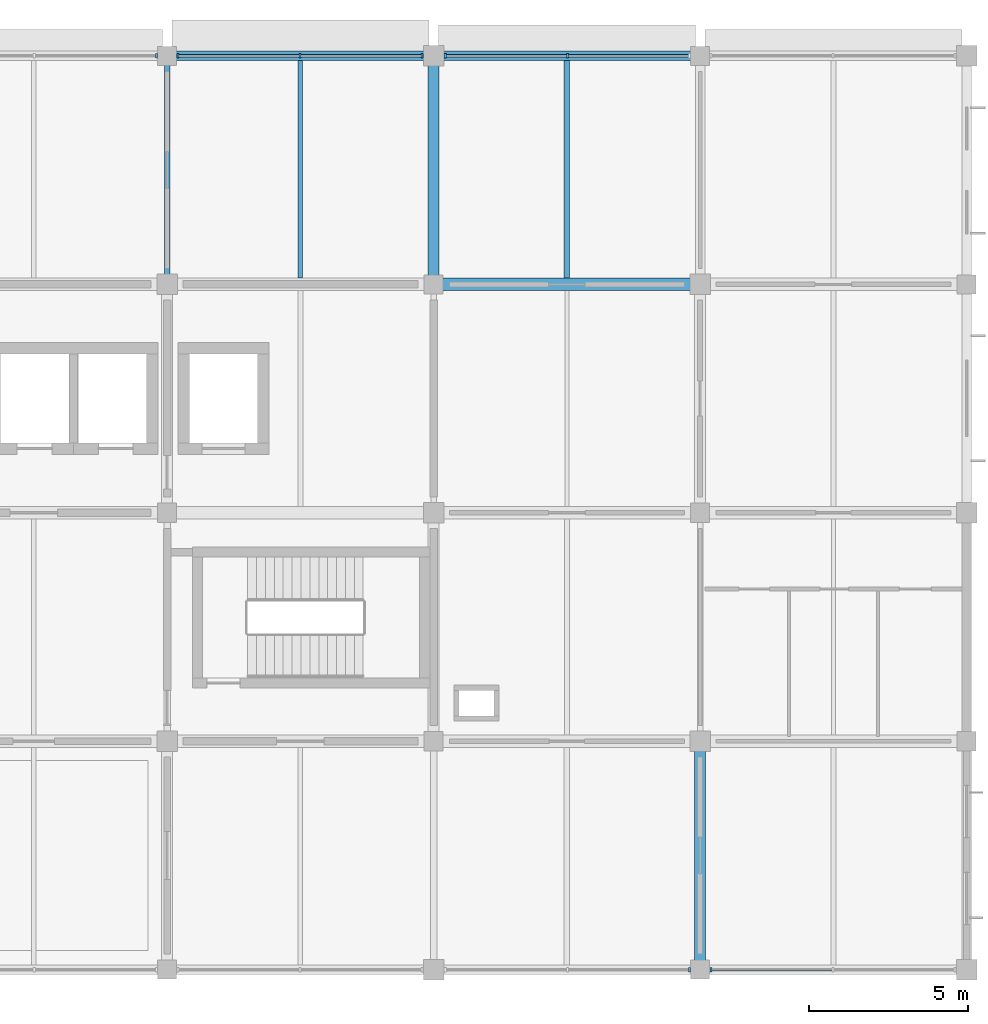
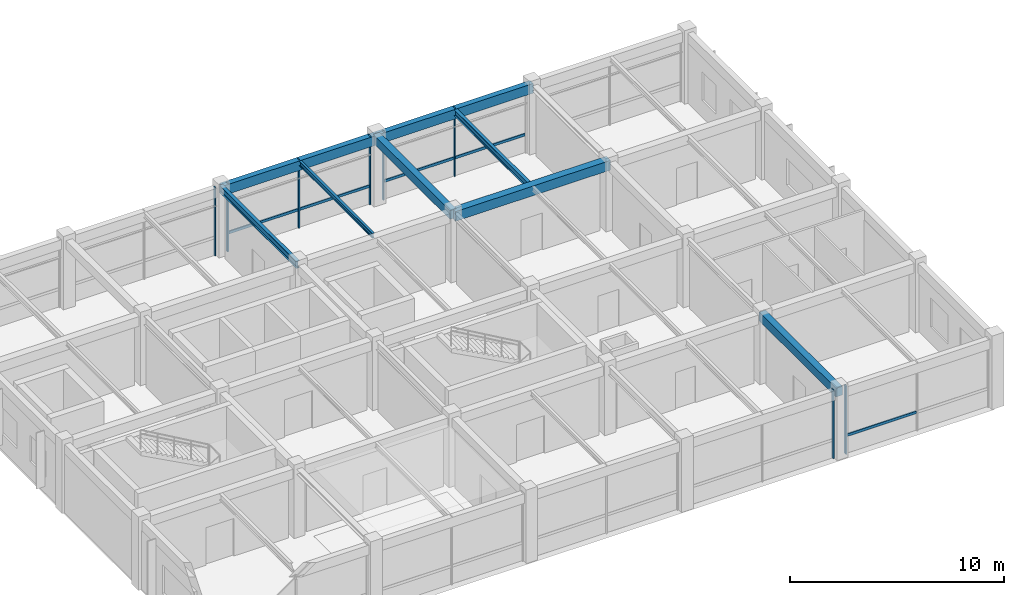
# One storey, part 5 of 11: 13 members, 8 beams, 5 elements without a shape of their own.
"""IFC4 building model written with IfcOpenShell, lengths in metres."""

import ifcopenshell
import ifcopenshell.guid

model = None  # the IFC model being written
_history = None  # IfcOwnerHistory: only IFC2X3 demands one
_inside = {}  # id of a spatial element -> (the spatial element, [elements in it])
_under = {}  # id of a project, library or spatial element -> (it, [spatial elements below it])
_declared = {}  # id of a project -> (the project, [libraries it declares])
_typed = {}  # id of a type object -> (the type object, [elements of that type])
_made_of = {}  # id of a material, layer set ... -> (it, [elements and type objects made of it])


def new_model(schema):
    """Start an empty IFC model of exactly this schema.

    Asked for "IFC4X3", IfcOpenShell would pick the latest addendum, in which some entities
    have other attributes; the version numbers below select the first issue.
    IFC2X3 requires an IfcOwnerHistory on every rooted entity: one is made here for all.
    """
    global model, _history
    if schema == "IFC4X3":
        model = ifcopenshell.file(schema_version=(4, 3, 0, 0))
    else:
        model = ifcopenshell.file(schema=schema)
    _inside.clear()
    _under.clear()
    _declared.clear()
    _typed.clear()
    _made_of.clear()
    _history = None
    if model.schema == "IFC2X3":
        org = make("IfcOrganization", Name="unknown")
        user = make(
            "IfcPersonAndOrganization",
            ThePerson=make("IfcPerson", FamilyName="unknown"),
            TheOrganization=org,
        )
        app = make(
            "IfcApplication",
            ApplicationDeveloper=org,
            Version="unknown",
            ApplicationFullName="unknown",
            ApplicationIdentifier="unknown",
        )
        _history = make(
            "IfcOwnerHistory",
            OwningUser=user,
            OwningApplication=app,
            ChangeAction="ADDED",
            CreationDate=0,
        )
    return model


def make(cls, **values):
    """One entity of the class cls with the attributes given. An attribute that is None is left unset."""
    return model.create_entity(
        cls, **{name: value for name, value in values.items() if value is not None}
    )


def rooted(cls, **values):
    """An entity with a GlobalId (a new one), such as an element, a storey or a relation."""
    return make(cls, GlobalId=ifcopenshell.guid.new(), OwnerHistory=_history, **values)


def si_unit(unit_type, name, prefix=None):
    """IfcSIUnit, for example si_unit("LENGTHUNIT", "METRE", prefix="MILLI")."""
    return make("IfcSIUnit", UnitType=unit_type, Prefix=prefix, Name=name)


def derived_unit(unit_type, elements):
    """IfcDerivedUnit: a product of units, each with its exponent."""
    return make(
        "IfcDerivedUnit",
        Elements=[
            make("IfcDerivedUnitElement", Unit=unit, Exponent=power)
            for unit, power in elements
        ],
        UnitType=unit_type,
    )


def assignment(units):
    """IfcUnitAssignment: the units of a project."""
    return None if units is None else make("IfcUnitAssignment", Units=units)


def point(xyz):
    """IfcCartesianPoint."""
    return None if xyz is None else make("IfcCartesianPoint", Coordinates=xyz)


def direction(xyz):
    """IfcDirection."""
    return None if xyz is None else make("IfcDirection", DirectionRatios=xyz)


def frame(location, z_axis=None, x_axis=None):
    """IfcAxis2Placement3D, a coordinate frame: its origin and axes. An axis left out is left unset."""
    return make(
        "IfcAxis2Placement3D",
        Location=point(location),
        Axis=direction(z_axis),
        RefDirection=direction(x_axis),
    )


def frame_2d(location, x_axis=None):
    """IfcAxis2Placement2D, a coordinate frame in the plane: its origin and x axis."""
    return make(
        "IfcAxis2Placement2D", Location=point(location), RefDirection=direction(x_axis)
    )


def origin():
    """The frame at (0, 0, 0) with its axes left unset."""
    return frame((0.0, 0.0, 0.0))


def origin_2d():
    """The frame at (0, 0) in the plane with its x axis left unset."""
    return frame_2d((0.0, 0.0))


def place(relative_to, where):
    """IfcLocalPlacement: puts the frame where relative to a parent placement (None: the world)."""
    return make(
        "IfcLocalPlacement", PlacementRelTo=relative_to, RelativePlacement=where
    )


def context(
    kind, dimensions, precision=None, world=None, true_north=None, identifier=None
):
    """IfcGeometricRepresentationContext, for example the 3D "Model" context."""
    return make(
        "IfcGeometricRepresentationContext",
        ContextIdentifier=identifier,
        ContextType=kind,
        CoordinateSpaceDimension=dimensions,
        Precision=precision,
        WorldCoordinateSystem=world,
        TrueNorth=true_north,
    )


def subcontext(parent, identifier, kind, view, scale=None):
    """IfcGeometricRepresentationSubContext, for example "Body" below "Model"."""
    return make(
        "IfcGeometricRepresentationSubContext",
        ContextIdentifier=identifier,
        ContextType=kind,
        ParentContext=parent,
        TargetScale=scale,
        TargetView=view,
    )


def project(units=None, contexts=None):
    """IfcProject with its units and contexts."""
    return rooted(
        "IfcProject",
        Name="project",
        RepresentationContexts=contexts,
        UnitsInContext=assignment(units),
    )


def spatial(cls, under=None, at=None, **own):
    """A site, building, storey or space (cls), placed at a placement, below another one or the project."""
    s = rooted(cls, ObjectPlacement=at, **own)
    if under is not None:
        _under.setdefault(under.id(), (under, []))[1].append(s)
    return s


def profile(cls, at=None, kind="AREA", **sizes):
    """A parametric profile (cls). Its sizes go by their IFC names, for example OverallWidth=200.0."""
    return make(cls, ProfileType=kind, Position=at, **sizes)


def rectangle(**sizes):
    """IfcRectangleProfileDef."""
    return profile("IfcRectangleProfileDef", **sizes)


def i_section(**sizes):
    """IfcIShapeProfileDef."""
    return profile("IfcIShapeProfileDef", **sizes)


def extrude(swept, where, along, depth):
    """IfcExtrudedAreaSolid: the profile swept, set in the frame where, extruded along a direction by depth."""
    return make(
        "IfcExtrudedAreaSolid",
        SweptArea=swept,
        Position=where,
        ExtrudedDirection=direction(along),
        Depth=depth,
    )


def shape(context_of_items, identifier, shape_type, items):
    """IfcShapeRepresentation: the items that make up one representation, for example the "Body"."""
    return make(
        "IfcShapeRepresentation",
        ContextOfItems=context_of_items,
        RepresentationIdentifier=identifier,
        RepresentationType=shape_type,
        Items=items,
    )


def material(Name=None, Category=None):
    """IfcMaterial."""
    return make("IfcMaterial", Name=Name, Category=Category)


def material_profile(
    of_material, cross_section, Name=None, Category=None, Priority=None
):
    """IfcMaterialProfile: a cross section and its material."""
    return make(
        "IfcMaterialProfile",
        Name=Name,
        Material=of_material,
        Profile=cross_section,
        Priority=Priority,
        Category=Category,
    )


def profile_set(profiles, Name=None, composite=None):
    """IfcMaterialProfileSet."""
    return make(
        "IfcMaterialProfileSet",
        Name=Name,
        MaterialProfiles=profiles,
        CompositeProfile=composite,
    )


def made_of(thing, what):
    """Note that an element or type object is made of a material, layer set ...; save() writes the relation."""
    if what is not None:
        _made_of.setdefault(what.id(), (what, []))[1].append(thing)
    return thing


def type_object(cls, material=None, **own):
    """A type object (cls), such as IfcWallType, which elements share."""
    return made_of(rooted(cls, **own), material)


def element(
    cls,
    number,
    at=None,
    inside=None,
    cuts=None,
    type_object=None,
    material=None,
    context=None,
    identifier="Body",
    shape_type=None,
    held_by="IfcProductDefinitionShape",
    body=None,
    shapes=None,
    **own,
):
    """One element of the class cls, such as IfcWall. Its Tag is "e" and its number.

    at: its placement. inside: the storey or other place that contains it. cuts: it is an
    opening in that element (IfcRelVoidsElement). A single representation is given by context,
    identifier, shape_type and body (its items); several are given by shapes. held_by: the class
    of the entity that holds the representations. save() writes the other relations.
    """
    e = rooted(cls, Tag="e%d" % number, ObjectPlacement=at, **own)
    if body is not None:
        shapes = [shape(context, identifier, shape_type, body)]
    if shapes is not None:
        e.Representation = make(held_by, Representations=shapes)
    if inside is not None:
        _inside.setdefault(inside.id(), (inside, []))[1].append(e)
    if cuts is not None:
        rooted(
            "IfcRelVoidsElement", RelatingBuildingElement=cuts, RelatedOpeningElement=e
        )
    if type_object is not None:
        _typed.setdefault(type_object.id(), (type_object, []))[1].append(e)
    return made_of(e, material)


def aggregate(whole, parts):
    """IfcRelAggregates: a whole, such as a stair, and the parts it consists of."""
    return rooted("IfcRelAggregates", RelatingObject=whole, RelatedObjects=parts)


def save(model, path):
    """Write the relations noted so far, then the file.

    IfcRelAggregates (storeys below a building ...), IfcRelContainedInSpatialStructure (elements
    in a storey), IfcRelDefinesByType, IfcRelAssociatesMaterial and IfcRelDeclares: one each for
    every whole, place, type object, material and project.
    """
    for whole, parts in _under.values():
        aggregate(whole, parts)
    for where, things in _inside.values():
        rooted(
            "IfcRelContainedInSpatialStructure",
            RelatedElements=things,
            RelatingStructure=where,
        )
    for kind, things in _typed.values():
        rooted("IfcRelDefinesByType", RelatedObjects=things, RelatingType=kind)
    for what, things in _made_of.values():
        rooted("IfcRelAssociatesMaterial", RelatedObjects=things, RelatingMaterial=what)
    for by, libraries in _declared.values():
        rooted("IfcRelDeclares", RelatingContext=by, RelatedDefinitions=libraries)
    model.write(path)


model = new_model("IFC4")

# Units and contexts
model_context = context("Model", 3, precision=1e-05, world=origin(), true_north=direction((0.0, 1.0)))
body_context = subcontext(model_context, "Body", "Model", "MODEL_VIEW")
ifc_project = project(units=[si_unit("LENGTHUNIT", "METRE"), si_unit("AREAUNIT", "SQUARE_METRE"), si_unit("VOLUMEUNIT", "CUBIC_METRE"), si_unit("PLANEANGLEUNIT", "RADIAN"), si_unit("MASSUNIT", "GRAM", prefix="KILO"), derived_unit("THERMALTRANSMITTANCEUNIT", [(si_unit("MASSUNIT", "GRAM", prefix="KILO"), 1), (si_unit("TIMEUNIT", "SECOND"), -3), (si_unit("THERMODYNAMICTEMPERATUREUNIT", "KELVIN"), -1)])], contexts=[model_context])

# Site, building, storey
site_placement = place(None, origin())
site = spatial("IfcSite", under=ifc_project, at=site_placement, CompositionType="ELEMENT")
building_placement = place(site_placement, origin())
building = spatial("IfcBuilding", under=site, at=building_placement, Name="Veldstrom Oceanarium and Marine Research Institute", CompositionType="ELEMENT")
storey_placement = place(building_placement, frame((0.0, 0.0, 48.0)))
storey = spatial("IfcBuildingStorey", under=building, at=storey_placement, Name="L10", CompositionType="ELEMENT", Elevation=48.0)

# Curtain wall, member
ifc_material_1 = material(Name="Anodised Aluminium Framing", Category="aluminium")
curtain_wall_type = type_object("IfcCurtainWallType", Name="ARC-CW-CW04", PredefinedType="USERDEFINED", material=ifc_material_1)
curtain_wall_1_placement = place(storey_placement, origin())
curtain_wall_1 = element("IfcCurtainWall", 1, at=curtain_wall_1_placement, inside=storey, type_object=curtain_wall_type, Name="Curtain Wall CW04 CW-L10-144", ObjectType="Curtain wall", PredefinedType="USERDEFINED")
ifc_material_2 = material(Name="Anodised Aluminium Framing", Category="aluminium")
ifc_material_profile_1 = material_profile(ifc_material_2, rectangle(XDim=0.06494140625, YDim=0.14990234375, at=origin_2d()), Name="ALU-MUL-65x150")
ifc_profile_set_1 = profile_set([ifc_material_profile_1], Name="Anodised Aluminium Framing")
member_type_1 = type_object("IfcMemberType", Name="ARC-MUL-ML2", PredefinedType="MULLION", material=ifc_profile_set_1)
member_1_placement = place(storey_placement, frame((92.06005859375, 72.0, 0.0), z_axis=(0.0, 0.0, 1.0), x_axis=(1.0, 0.0, 0.0)))
member_1 = element("IfcMember", 2, at=member_1_placement, type_object=member_type_1, Name="Curtain Wall Mullion CW-L10-144-MUL-3", PredefinedType="MULLION", context=body_context, shape_type="SweptSolid", body=[
    extrude(rectangle(XDim=0.06494140625, YDim=0.14990234375, at=origin_2d()), origin(), (0.0, 0.0, 1.0), 3.919921875),
])
aggregate(curtain_wall_1, [member_1])

# Curtain wall, members
curtain_wall_2_placement = place(storey_placement, origin())
curtain_wall_2 = element("IfcCurtainWall", 3, at=curtain_wall_2_placement, inside=storey, type_object=curtain_wall_type, Name="Curtain Wall CW04 CW-L10-146", ObjectType="Curtain wall", PredefinedType="USERDEFINED")
member_2_placement = place(storey_placement, frame((92.739990234375, 72.0, 0.0), z_axis=(0.0, 0.0, 1.0), x_axis=(1.0, 0.0, 0.0)))
member_2 = element("IfcMember", 4, at=member_2_placement, type_object=member_type_1, Name="Curtain Wall Mullion CW-L10-146-MUL-1", PredefinedType="MULLION", context=body_context, shape_type="SweptSolid", body=[
    extrude(rectangle(XDim=0.06494140625, YDim=0.14990234375, at=origin_2d()), origin(), (0.0, 0.0, 1.0), 3.919921875),
])
member_3_placement = place(storey_placement, frame((96.58740234375, 72.0, 0.0), z_axis=(0.0, 0.0, 1.0), x_axis=(1.0, 0.0, 0.0)))
member_3 = element("IfcMember", 5, at=member_3_placement, type_object=member_type_1, Name="Curtain Wall Mullion CW-L10-146-MUL-2", PredefinedType="MULLION", context=body_context, shape_type="SweptSolid", body=[
    extrude(rectangle(XDim=0.06494140625, YDim=0.14990234375, at=origin_2d()), origin(), (0.0, 0.0, 1.0), 3.919921875),
])
member_4_placement = place(storey_placement, frame((100.43505859375, 72.0, 0.0), z_axis=(0.0, 0.0, 1.0), x_axis=(1.0, 0.0, 0.0)))
member_4 = element("IfcMember", 6, at=member_4_placement, type_object=member_type_1, Name="Curtain Wall Mullion CW-L10-146-MUL-3", PredefinedType="MULLION", context=body_context, shape_type="SweptSolid", body=[
    extrude(rectangle(XDim=0.06494140625, YDim=0.14990234375, at=origin_2d()), origin(), (0.0, 0.0, 1.0), 3.919921875),
])

# Curtain wall, member
curtain_wall_3_placement = place(storey_placement, origin())
curtain_wall_3 = element("IfcCurtainWall", 7, at=curtain_wall_3_placement, inside=storey, type_object=curtain_wall_type, Name="Curtain Wall CW04 CW-L10-147", ObjectType="Curtain wall", PredefinedType="USERDEFINED")
member_5_placement = place(storey_placement, frame((108.860107421875, 43.199951171875, 0.0), z_axis=(0.0, 0.0, 1.0), x_axis=(1.0, 0.0, 0.0)))
member_5 = element("IfcMember", 8, at=member_5_placement, type_object=member_type_1, Name="Curtain Wall Mullion CW-L10-147-MUL-3", PredefinedType="MULLION", context=body_context, shape_type="SweptSolid", body=[
    extrude(rectangle(XDim=0.06494140625, YDim=0.14990234375, at=origin_2d()), origin(), (0.0, 0.0, 1.0), 3.919921875),
])
aggregate(curtain_wall_3, [member_5])

# Curtain wall, members
curtain_wall_4_placement = place(storey_placement, origin())
curtain_wall_4 = element("IfcCurtainWall", 9, at=curtain_wall_4_placement, inside=storey, type_object=curtain_wall_type, Name="Curtain Wall CW04 CW-L10-148", ObjectType="Curtain wall", PredefinedType="USERDEFINED")
member_6_placement = place(storey_placement, frame((101.1650390625, 72.0, 0.0), z_axis=(0.0, 0.0, 1.0), x_axis=(1.0, 0.0, 0.0)))
member_6 = element("IfcMember", 10, at=member_6_placement, type_object=member_type_1, Name="Curtain Wall Mullion CW-L10-148-MUL-1", PredefinedType="MULLION", context=body_context, shape_type="SweptSolid", body=[
    extrude(rectangle(XDim=0.06494140625, YDim=0.14990234375, at=origin_2d()), origin(), (0.0, 0.0, 1.0), 3.919921875),
])
member_7_placement = place(storey_placement, frame((105.012451171875, 72.0, 0.0), z_axis=(0.0, 0.0, 1.0), x_axis=(1.0, 0.0, 0.0)))
member_7 = element("IfcMember", 11, at=member_7_placement, type_object=member_type_1, Name="Curtain Wall Mullion CW-L10-148-MUL-2", PredefinedType="MULLION", context=body_context, shape_type="SweptSolid", body=[
    extrude(rectangle(XDim=0.06494140625, YDim=0.14990234375, at=origin_2d()), origin(), (0.0, 0.0, 1.0), 3.919921875),
])

# Curtain wall, member
curtain_wall_5_placement = place(storey_placement, origin())
curtain_wall_5 = element("IfcCurtainWall", 12, at=curtain_wall_5_placement, inside=storey, type_object=curtain_wall_type, Name="Curtain Wall CW04 CW-L10-149", ObjectType="Curtain wall", PredefinedType="USERDEFINED")
member_8_placement = place(storey_placement, frame((109.5400390625, 43.199951171875, 0.0), z_axis=(0.0, 0.0, 1.0), x_axis=(1.0, 0.0, 0.0)))
member_8 = element("IfcMember", 13, at=member_8_placement, type_object=member_type_1, Name="Curtain Wall Mullion CW-L10-149-MUL-1", PredefinedType="MULLION", context=body_context, shape_type="SweptSolid", body=[
    extrude(rectangle(XDim=0.06494140625, YDim=0.14990234375, at=origin_2d()), origin(), (0.0, 0.0, 1.0), 3.919921875),
])

# Member
ifc_material_3 = material(Name="Anodised Aluminium Framing", Category="aluminium")
ifc_material_profile_2 = material_profile(ifc_material_3, rectangle(XDim=0.074951171875, YDim=0.14990234375, at=origin_2d()), Name="ALU-TRN-75x150")
ifc_profile_set_2 = profile_set([ifc_material_profile_2], Name="Anodised Aluminium Framing")
member_type_2 = type_object("IfcMemberType", Name="ARC-TRN-TR1", PredefinedType="USERDEFINED", material=ifc_profile_set_2)
member_9_placement = place(storey_placement, frame((92.780029296875, 72.0, 1.050048828125), z_axis=(1.0, 0.0, 0.0), x_axis=(0.0, 1.0, 0.0)))
member_9 = element("IfcMember", 14, at=member_9_placement, type_object=member_type_2, Name="Curtain Wall Transom CW-L10-146-TRN-1", ObjectType="Transom", PredefinedType="USERDEFINED", context=body_context, shape_type="SweptSolid", body=[
    extrude(rectangle(XDim=0.074951171875, YDim=0.14990234375, at=origin_2d()), origin(), (0.0, 0.0, 1.0), 3.767578125),
])

member_10_placement = place(storey_placement, frame((96.62744140625, 72.0, 1.050048828125), z_axis=(1.0, 0.0, 0.0), x_axis=(0.0, 1.0, 0.0)))
member_10 = element("IfcMember", 15, at=member_10_placement, type_object=member_type_2, Name="Curtain Wall Transom CW-L10-146-TRN-2", ObjectType="Transom", PredefinedType="USERDEFINED", context=body_context, shape_type="SweptSolid", body=[
    extrude(rectangle(XDim=0.074951171875, YDim=0.14990234375, at=origin_2d()), origin(), (0.0, 0.0, 1.0), 3.767578125),
])

aggregate(curtain_wall_2, [member_2, member_3, member_4, member_9, member_10])

member_11_placement = place(storey_placement, frame((101.205078125, 72.0, 1.050048828125), z_axis=(1.0, 0.0, 0.0), x_axis=(0.0, 1.0, 0.0)))
member_11 = element("IfcMember", 16, at=member_11_placement, type_object=member_type_2, Name="Curtain Wall Transom CW-L10-148-TRN-1", ObjectType="Transom", PredefinedType="USERDEFINED", context=body_context, shape_type="SweptSolid", body=[
    extrude(rectangle(XDim=0.074951171875, YDim=0.14990234375, at=origin_2d()), origin(), (0.0, 0.0, 1.0), 3.767333984375),
])

member_12_placement = place(storey_placement, frame((105.052490234375, 72.0, 1.050048828125), z_axis=(1.0, 0.0, 0.0), x_axis=(0.0, 1.0, 0.0)))
member_12 = element("IfcMember", 17, at=member_12_placement, type_object=member_type_2, Name="Curtain Wall Transom CW-L10-148-TRN-2", ObjectType="Transom", PredefinedType="USERDEFINED", context=body_context, shape_type="SweptSolid", body=[
    extrude(rectangle(XDim=0.074951171875, YDim=0.14990234375, at=origin_2d()), origin(), (0.0, 0.0, 1.0), 3.767578125),
])

aggregate(curtain_wall_4, [member_6, member_7, member_11, member_12])

member_13_placement = place(storey_placement, frame((109.580078125, 43.199951171875, 1.050048828125), z_axis=(1.0, 0.0, 0.0), x_axis=(0.0, 1.0, 0.0)))
member_13 = element("IfcMember", 18, at=member_13_placement, type_object=member_type_2, Name="Curtain Wall Transom CW-L10-149-TRN-1", ObjectType="Transom", PredefinedType="USERDEFINED", context=body_context, shape_type="SweptSolid", body=[
    extrude(rectangle(XDim=0.074951171875, YDim=0.14990234375, at=origin_2d()), origin(), (0.0, 0.0, 1.0), 3.767333984375),
])

aggregate(curtain_wall_5, [member_8, member_13])

# Beams
ifc_material_4 = material(Name="Concrete C40/50", Category="concrete")
ifc_material_profile_3 = material_profile(ifc_material_4, rectangle(XDim=0.39990234375, YDim=0.550048828125, at=origin_2d()), Name="RC-BM-400x550")
ifc_profile_set_3 = profile_set([ifc_material_profile_3], Name="Concrete C40/50")
beam_type_1 = type_object("IfcBeamType", Name="STR-BM-B07", PredefinedType="BEAM", material=ifc_profile_set_3)
beam_1_placement = place(storey_placement, frame((100.800048828125, 64.800048828125, 3.639892578125), z_axis=(1.0, 0.0, 0.0), x_axis=(0.0, 1.0, 0.0)))
element("IfcBeam", 19, at=beam_1_placement, inside=storey, type_object=beam_type_1, Name="Primary Beam B07 L10-2557", PredefinedType="BEAM", context=body_context, shape_type="SweptSolid", body=[
    extrude(rectangle(XDim=0.39990234375, YDim=0.550048828125, at=origin_2d()), origin(), (0.0, 0.0, 1.0), 8.39990234375),
])
ifc_material_5 = material(Name="Concrete C40/50", Category="concrete")
ifc_material_profile_4 = material_profile(ifc_material_5, rectangle(XDim=0.35009765625, YDim=0.5, at=origin_2d()), Name="RC-BM-350x500")
ifc_profile_set_4 = profile_set([ifc_material_profile_4], Name="Concrete C40/50")
beam_type_2 = type_object("IfcBeamType", Name="STR-BM-B08", PredefinedType="BEAM", material=ifc_profile_set_4)
for number, where, z_axis, x_axis, name in (
    (20, (100.800048828125, 64.800048828125, 3.6650390625), (0.0, 1.0, 0.0), (-1.0, 0.0, 0.0), "Primary Beam B08 L10-2579"),
    (21, (109.199951171875, 43.199951171875, 3.6650390625), (0.0, 1.0, 0.0), (-1.0, 0.0, 0.0), "Primary Beam B08 L10-2580"),
):
    element("IfcBeam", number, at=place(storey_placement, frame(where, z_axis=z_axis, x_axis=x_axis)), inside=storey, type_object=beam_type_2, Name=name, PredefinedType="BEAM", context=body_context, shape_type="SweptSolid", body=[
        extrude(rectangle(XDim=0.35009765625, YDim=0.5, at=origin_2d()), origin(), (0.0, 0.0, 1.0), 7.199951171875),
    ])
ifc_material_6 = material(Name="Steel S355JR", Category="steel")
ifc_material_profile_5 = material_profile(ifc_material_6, i_section(OverallWidth=0.179931640625, OverallDepth=0.39990234375, WebThickness=0.008544921875, FlangeThickness=0.013427734375, FilletRadius=0.02099609375, at=origin_2d()), Name="IPE 400")
ifc_profile_set_5 = profile_set([ifc_material_profile_5], Name="Steel S355JR")
beam_type_3 = type_object("IfcBeamType", Name="STR-BM-SB8", PredefinedType="BEAM", material=ifc_profile_set_5)
beam_2_placement = place(storey_placement, frame((92.39990234375, 64.800048828125, 3.715087890625), z_axis=(0.0, 1.0, 0.0), x_axis=(-1.0, 0.0, 0.0)))
element("IfcBeam", 22, at=beam_2_placement, inside=storey, type_object=beam_type_3, Name="Steel Tie Beam SB8 L10-2575", PredefinedType="BEAM", context=body_context, shape_type="SweptSolid", body=[
    extrude(i_section(OverallWidth=0.179931640625, OverallDepth=0.39990234375, WebThickness=0.008544921875, FlangeThickness=0.013427734375, FilletRadius=0.02099609375, at=origin_2d()), origin(), (0.0, 0.0, 1.0), 7.199951171875),
])
ifc_material_7 = material(Name="Steel S355JR", Category="steel")
ifc_material_profile_6 = material_profile(ifc_material_7, i_section(OverallWidth=0.169921875, OverallDepth=0.360107421875, WebThickness=0.008056640625, FlangeThickness=0.0126953125, FilletRadius=0.01806640625, at=origin_2d()), Name="IPE 360")
ifc_profile_set_6 = profile_set([ifc_material_profile_6], Name="Steel S355JR")
beam_type_4 = type_object("IfcBeamType", Name="STR-JST-SJ1", PredefinedType="JOIST", material=ifc_profile_set_6)
beam_3_placement = place(storey_placement, frame((105.0, 65.0, 3.735107421875), z_axis=(0.0, 1.0, 0.0), x_axis=(-1.0, 0.0, 0.0)))
element("IfcBeam", 23, at=beam_3_placement, inside=storey, type_object=beam_type_4, Name="Secondary Joist SJ1 L10-2600", PredefinedType="JOIST", context=body_context, shape_type="SweptSolid", body=[
    extrude(i_section(OverallWidth=0.169921875, OverallDepth=0.360107421875, WebThickness=0.008056640625, FlangeThickness=0.0126953125, FilletRadius=0.01806640625, at=origin_2d()), origin(), (0.0, 0.0, 1.0), 6.85009765625),
])
ifc_material_8 = material(Name="Steel S355JR", Category="steel")
ifc_material_profile_7 = material_profile(ifc_material_8, i_section(OverallWidth=0.135009765625, OverallDepth=0.27001953125, WebThickness=0.006591796875, FlangeThickness=0.01025390625, FilletRadius=0.014892578125, at=origin_2d()), Name="IPE 270")
ifc_profile_set_7 = profile_set([ifc_material_profile_7], Name="Steel S355JR")
beam_type_5 = type_object("IfcBeamType", Name="STR-JST-SJ3", PredefinedType="JOIST", material=ifc_profile_set_7)
beam_4_placement = place(storey_placement, frame((96.60009765625, 65.0, 3.780029296875), z_axis=(0.0, 1.0, 0.0), x_axis=(-1.0, 0.0, 0.0)))
element("IfcBeam", 24, at=beam_4_placement, inside=storey, type_object=beam_type_5, Name="Secondary Joist SJ3 L10-2596", PredefinedType="JOIST", context=body_context, shape_type="SweptSolid", body=[
    extrude(i_section(OverallWidth=0.135009765625, OverallDepth=0.27001953125, WebThickness=0.006591796875, FlangeThickness=0.01025390625, FilletRadius=0.014892578125, at=origin_2d()), origin(), (0.0, 0.0, 1.0), 6.85009765625),
])
ifc_material_9 = material(Name="Concrete C40/50", Category="concrete")
ifc_material_profile_8 = material_profile(ifc_material_9, rectangle(XDim=0.300048828125, YDim=0.550048828125, at=origin_2d()), Name="RC-SPN-300x550")
ifc_profile_set_8 = profile_set([ifc_material_profile_8], Name="Concrete C40/50")
beam_type_6 = type_object("IfcBeamType", Name="STR-SPN-SP2", PredefinedType="SPANDREL", material=ifc_profile_set_8)
beam_5_placement = place(storey_placement, frame((92.39990234375, 72.0, 3.639892578125), z_axis=(1.0, 0.0, 0.0), x_axis=(0.0, 1.0, 0.0)))
element("IfcBeam", 25, at=beam_5_placement, inside=storey, type_object=beam_type_6, Name="Perimeter Spandrel SPB2 L10-2553", PredefinedType="SPANDREL", context=body_context, shape_type="SweptSolid", body=[
    extrude(rectangle(XDim=0.300048828125, YDim=0.550048828125, at=origin_2d()), origin(), (0.0, 0.0, 1.0), 8.400146484375),
])
beam_6_placement = place(storey_placement, frame((100.800048828125, 72.0, 3.639892578125), z_axis=(1.0, 0.0, 0.0), x_axis=(0.0, 1.0, 0.0)))
element("IfcBeam", 26, at=beam_6_placement, inside=storey, type_object=beam_type_6, Name="Perimeter Spandrel SPB2 L10-2558", PredefinedType="SPANDREL", context=body_context, shape_type="SweptSolid", body=[
    extrude(rectangle(XDim=0.300048828125, YDim=0.550048828125, at=origin_2d()), origin(), (0.0, 0.0, 1.0), 8.39990234375),
])

save(model, "model.ifc")
